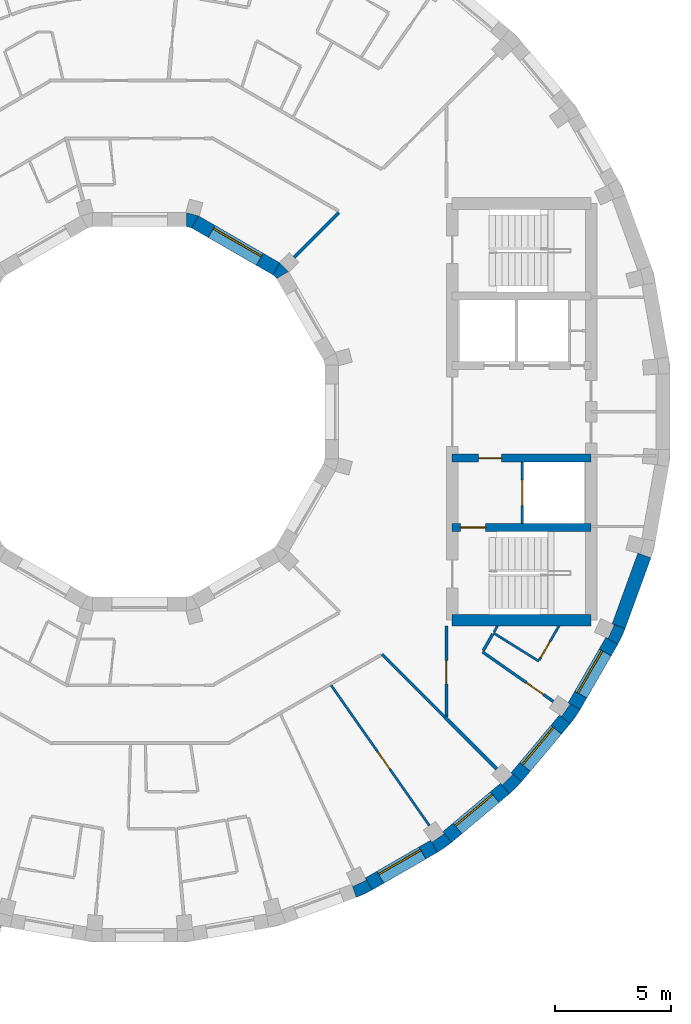
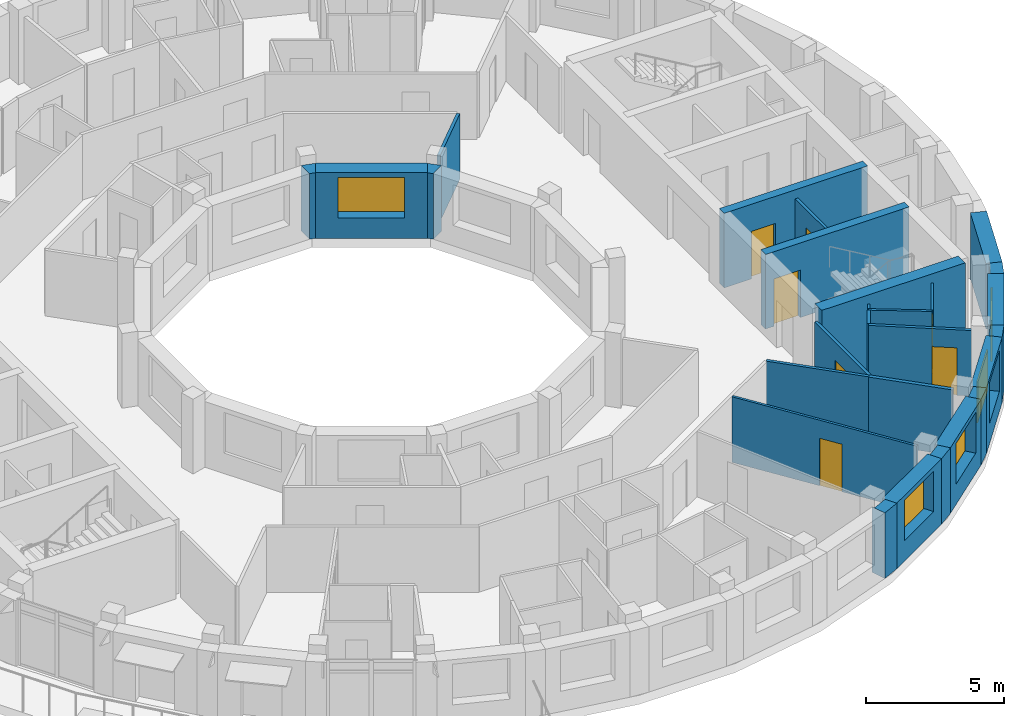
# One storey, part 7 of 12: 27 walls, 7 doors, 5 windows, 12 openings.
"""IFC4 building model written with IfcOpenShell, lengths in metres."""

from ifc_helpers import new_model, si_unit, direction, frame, frame_2d, origin, place, context, subcontext, project, spatial, polyline, rectangle, outline, extrude, material, layer, layer_set, type_object, element, fill, save


model = new_model("IFC4")

# Units and contexts
model_context = context("Model", 3, precision=1e-05, world=origin(), true_north=direction((0.0, 1.0)))
body_context = subcontext(model_context, "Body", "Model", "MODEL_VIEW")
ifc_project = project(units=[si_unit("LENGTHUNIT", "METRE"), si_unit("AREAUNIT", "SQUARE_METRE"), si_unit("VOLUMEUNIT", "CUBIC_METRE"), si_unit("PLANEANGLEUNIT", "RADIAN"), si_unit("MASSUNIT", "GRAM", prefix="KILO")], contexts=[model_context])

# Site, building, storey
site_placement = place(None, origin())
site = spatial("IfcSite", under=ifc_project, at=site_placement, CompositionType="ELEMENT")
building_placement = place(site_placement, origin())
building = spatial("IfcBuilding", under=site, at=building_placement, Name="Saqina Gate Tower", CompositionType="ELEMENT")
storey_placement = place(building_placement, frame((0.0, 0.0, 262.699951171875)))
storey = spatial("IfcBuildingStorey", under=building, at=storey_placement, Name="L75", CompositionType="ELEMENT", Elevation=262.699951171875)

# Walls
ifc_material_1 = material(Name="Brick masonry (buff)", Category="masonry")
wall_type_1 = type_object("IfcWallType", Name="BRICK PIER COPING BUFF", PredefinedType="SOLIDWALL", material=ifc_material_1)
wall_1_placement = place(storey_placement, origin())
element("IfcWall", 1, at=wall_1_placement, inside=storey, type_object=wall_type_1, Name="Pier cap L75 column 30", PredefinedType="SOLIDWALL", context=body_context, shape_type="SweptSolid", body=[
    extrude(outline(polyline([(9.3642578125, -20.974609375), (10.048095703125, -20.65576171875), (9.748291015625, -20.135986328125), (9.79296875, -20.23193359375), (9.203857421875, -20.506591796875), (9.1591796875, -20.410888671875), (9.3642578125, -20.974609375)])), origin(), (0.0, 0.0, 1.0), 2.900146484375),
])
wall_2_placement = place(storey_placement, origin())
element("IfcWall", 2, at=wall_2_placement, inside=storey, type_object=wall_type_1, Name="Pier cap L75 column 31", PredefinedType="SOLIDWALL", context=body_context, shape_type="SweptSolid", body=[
    extrude(outline(polyline([(12.8642578125, -19.02978515625), (13.482421875, -18.59716796875), (13.0966796875, -18.137451171875), (13.157470703125, -18.22412109375), (12.625, -18.596923828125), (12.564208984375, -18.51025390625), (12.8642578125, -19.02978515625)])), origin(), (0.0, 0.0, 1.0), 2.900146484375),
])
wall_3_placement = place(storey_placement, origin())
element("IfcWall", 3, at=wall_3_placement, inside=storey, type_object=wall_type_1, Name="Pier cap L75 column 32", PredefinedType="SOLIDWALL", context=body_context, shape_type="SweptSolid", body=[
    extrude(outline(polyline([(16.5068359375, -15.973388671875), (16.04736328125, -15.587646484375), (16.1220703125, -15.662353515625), (15.662353515625, -16.1220703125), (15.587646484375, -16.04736328125), (15.973388671875, -16.5068359375), (16.5068359375, -15.973388671875)])), origin(), (0.0, 0.0, 1.0), 2.900146484375),
])
wall_4_placement = place(storey_placement, origin())
element("IfcWall", 4, at=wall_4_placement, inside=storey, type_object=wall_type_1, Name="Pier cap L75 column 33", PredefinedType="SOLIDWALL", context=body_context, shape_type="SweptSolid", body=[
    extrude(outline(polyline([(19.02978515625, -12.8642578125), (18.51025390625, -12.564208984375), (18.596923828125, -12.625), (18.22412109375, -13.157470703125), (18.137451171875, -13.0966796875), (18.59716796875, -13.482421875), (19.02978515625, -12.8642578125)])), origin(), (0.0, 0.0, 1.0), 2.900146484375),
])
wall_5_placement = place(storey_placement, origin())
element("IfcWall", 5, at=wall_5_placement, inside=storey, type_object=wall_type_1, Name="Pier cap L75 column 34", PredefinedType="SOLIDWALL", context=body_context, shape_type="SweptSolid", body=[
    extrude(outline(polyline([(20.65576171875, -10.048095703125), (20.974609375, -9.3642578125), (20.410888671875, -9.1591796875), (20.506591796875, -9.203857421875), (20.23193359375, -9.79296875), (20.135986328125, -9.748291015625), (20.65576171875, -10.048095703125)])), origin(), (0.0, 0.0, 1.0), 2.900146484375),
])

# Wall, opening, window
ifc_material_2 = material(Name="Brick masonry (buff)", Category="masonry")
ifc_layer_1 = layer(ifc_material_2, 0.60009765625)
ifc_layer_set_1 = layer_set([ifc_layer_1], Name="FW-BRICK-BUFF")
wall_type_2 = type_object("IfcWallType", Name="FW-BRICK-BUFF", PredefinedType="SOLIDWALL", material=ifc_layer_set_1)
wall_6_placement = place(storey_placement, frame((9.898193359375, -20.39599609375, 0.0), z_axis=(0.0, 0.0, 1.0), x_axis=(0.866016800201, 0.500014901547, 0.0)))
wall_6 = element("IfcWall", 6, at=wall_6_placement, inside=storey, type_object=wall_type_2, Name="Facade wall L75 facet 30", PredefinedType="SOLIDWALL", context=body_context, shape_type="SweptSolid", body=[
    extrude(rectangle(XDim=3.251953125, YDim=0.60009765625, at=frame_2d((1.6259765625, 0.0))), origin(), (0.0, 0.0, 1.0), 2.900146484375),
])
opening_1_placement = place(wall_6_placement, frame((0.57568359375, 0.0, 0.89990234375)))
opening_1 = element("IfcOpeningElement", 7, at=opening_1_placement, cuts=wall_6, Name="Opening G22-W19", PredefinedType="OPENING", context=body_context, shape_type="SweptSolid", body=[
    extrude(rectangle(XDim=2.10009765625, YDim=1.800048828125, at=frame_2d((1.050048828125, 0.89990234375))), frame((0.0, 0.31201171875, 0.0), z_axis=(0.0, -1.0, 0.0), x_axis=(1.0, 0.0, 0.0)), (0.0, 0.0, 1.0), 0.6240234375),
])
ifc_material_3 = material(Name="Aluminium glazing", Category="aluminium")
window_type_1 = type_object("IfcWindowType", Name="WN-D", PartitioningType="SINGLE_PANEL", PredefinedType="WINDOW", material=ifc_material_3)
window_1_placement = place(opening_1_placement, origin())
window_1 = element("IfcWindow", 8, at=window_1_placement, inside=storey, type_object=window_type_1, Name="Window L75 facet 30", OverallHeight=1.800048828125, OverallWidth=2.10009765625, PartitioningType="SINGLE_PANEL", PredefinedType="WINDOW", context=body_context, shape_type="SweptSolid", body=[
    extrude(rectangle(XDim=2.10009765625, YDim=1.800048828125, at=frame_2d((1.050048828125, 0.89990234375))), frame((0.0, 0.179931640625, 0.0), z_axis=(0.0, -1.0, 0.0), x_axis=(1.0, 0.0, 0.0)), (0.0, 0.0, 1.0), 0.06005859375),
])
fill(opening_1, window_1)

wall_7_placement = place(storey_placement, frame((13.28955078125, -18.3671875, 0.0), z_axis=(0.0, 0.0, 1.0), x_axis=(0.766056773982, 0.64277291405, 0.0)))
wall_7 = element("IfcWall", 9, at=wall_7_placement, inside=storey, type_object=wall_type_2, Name="Facade wall L75 facet 31", PredefinedType="SOLIDWALL", context=body_context, shape_type="SweptSolid", body=[
    extrude(rectangle(XDim=3.251708984375, YDim=0.60009765625, at=frame_2d((1.6259765625, 0.0))), origin(), (0.0, 0.0, 1.0), 2.900146484375),
])
opening_2_placement = place(wall_7_placement, frame((0.57568359375, 0.0, 0.89990234375)))
opening_2 = element("IfcOpeningElement", 10, at=opening_2_placement, cuts=wall_7, Name="Opening G22-W20", PredefinedType="OPENING", context=body_context, shape_type="SweptSolid", body=[
    extrude(rectangle(XDim=2.10009765625, YDim=1.800048828125, at=frame_2d((1.050048828125, 0.89990234375))), frame((0.0, 0.31201171875, 0.0), z_axis=(0.0, -1.0, 0.0), x_axis=(1.0, 0.0, 0.0)), (0.0, 0.0, 1.0), 0.6240234375),
])
window_2_placement = place(opening_2_placement, origin())
window_2 = element("IfcWindow", 11, at=window_2_placement, inside=storey, type_object=window_type_1, Name="Window L75 facet 31", OverallHeight=1.800048828125, OverallWidth=2.10009765625, PartitioningType="SINGLE_PANEL", PredefinedType="WINDOW", context=body_context, shape_type="SweptSolid", body=[
    extrude(rectangle(XDim=2.10009765625, YDim=1.800048828125, at=frame_2d((1.050048828125, 0.89990234375))), frame((0.0, 0.179931640625, 0.0), z_axis=(0.0, -1.0, 0.0), x_axis=(1.0, 0.0, 0.0)), (0.0, 0.0, 1.0), 0.06005859375),
])
fill(opening_2, window_2)

wall_8_placement = place(storey_placement, frame((16.277099609375, -15.780517578125, 0.0), z_axis=(0.0, 0.0, 1.0), x_axis=(0.64277291405, 0.766056773982, 0.0)))
wall_8 = element("IfcWall", 12, at=wall_8_placement, inside=storey, type_object=wall_type_2, Name="Facade wall L75 facet 32", PredefinedType="SOLIDWALL", context=body_context, shape_type="SweptSolid", body=[
    extrude(rectangle(XDim=3.251708984375, YDim=0.60009765625, at=frame_2d((1.6259765625, 0.0))), origin(), (0.0, 0.0, 1.0), 2.900146484375),
])
opening_3_placement = place(wall_8_placement, frame((0.57568359375, 0.0, 0.89990234375)))
opening_3 = element("IfcOpeningElement", 13, at=opening_3_placement, cuts=wall_8, Name="Opening G22-W21", PredefinedType="OPENING", context=body_context, shape_type="SweptSolid", body=[
    extrude(rectangle(XDim=2.10009765625, YDim=1.800048828125, at=frame_2d((1.050048828125, 0.89990234375))), frame((0.0, 0.31201171875, 0.0), z_axis=(0.0, -1.0, 0.0), x_axis=(1.0, 0.0, 0.0)), (0.0, 0.0, 1.0), 0.6240234375),
])
window_3_placement = place(opening_3_placement, origin())
window_3 = element("IfcWindow", 14, at=window_3_placement, inside=storey, type_object=window_type_1, Name="Window L75 facet 32", OverallHeight=1.800048828125, OverallWidth=2.10009765625, PartitioningType="SINGLE_PANEL", PredefinedType="WINDOW", context=body_context, shape_type="SweptSolid", body=[
    extrude(rectangle(XDim=2.10009765625, YDim=1.800048828125, at=frame_2d((1.050048828125, 0.89990234375))), frame((0.0, 0.179931640625, 0.0), z_axis=(0.0, -1.0, 0.0), x_axis=(1.0, 0.0, 0.0)), (0.0, 0.0, 1.0), 0.06005859375),
])
fill(opening_3, window_3)

wall_9_placement = place(storey_placement, frame((18.77001953125, -12.71435546875, 0.0), z_axis=(0.0, 0.0, 1.0), x_axis=(0.500014901547, 0.866016800201, 0.0)))
wall_9 = element("IfcWall", 15, at=wall_9_placement, inside=storey, type_object=wall_type_2, Name="Facade wall L75 facet 33", PredefinedType="SOLIDWALL", context=body_context, shape_type="SweptSolid", body=[
    extrude(rectangle(XDim=3.251953125, YDim=0.60009765625, at=frame_2d((1.6259765625, 0.0))), origin(), (0.0, 0.0, 1.0), 2.900146484375),
])
opening_4_placement = place(wall_9_placement, frame((0.57568359375, 0.0, 0.89990234375)))
opening_4 = element("IfcOpeningElement", 16, at=opening_4_placement, cuts=wall_9, Name="Opening G22-W22", PredefinedType="OPENING", context=body_context, shape_type="SweptSolid", body=[
    extrude(rectangle(XDim=2.10009765625, YDim=1.800048828125, at=frame_2d((1.050048828125, 0.89990234375))), frame((0.0, 0.31201171875, 0.0), z_axis=(0.0, -1.0, 0.0), x_axis=(1.0, 0.0, 0.0)), (0.0, 0.0, 1.0), 0.6240234375),
])
window_4_placement = place(opening_4_placement, origin())
window_4 = element("IfcWindow", 17, at=window_4_placement, inside=storey, type_object=window_type_1, Name="Window L75 facet 33", OverallHeight=1.800048828125, OverallWidth=2.10009765625, PartitioningType="SINGLE_PANEL", PredefinedType="WINDOW", context=body_context, shape_type="SweptSolid", body=[
    extrude(rectangle(XDim=2.10009765625, YDim=1.800048828125, at=frame_2d((1.050048828125, 0.89990234375))), frame((0.0, 0.179931640625, 0.0), z_axis=(0.0, -1.0, 0.0), x_axis=(1.0, 0.0, 0.0)), (0.0, 0.0, 1.0), 0.06005859375),
])
fill(opening_4, window_4)

# Wall
ifc_material_4 = material(Name="Glazed ceramic tile", Category="ceramic")
ifc_layer_2 = layer(ifc_material_4, 0.60009765625)
ifc_layer_set_2 = layer_set([ifc_layer_2], Name="FW-TILE")
wall_type_3 = type_object("IfcWallType", Name="FW-TILE", PredefinedType="SOLIDWALL", material=ifc_layer_set_2)
wall_10_placement = place(storey_placement, frame((20.692626953125, -9.26171875, 0.0), z_axis=(0.0, 0.0, 1.0), x_axis=(0.342056509473, 0.939679383794, 0.0)))
element("IfcWall", 18, at=wall_10_placement, inside=storey, type_object=wall_type_3, Name="Facade wall L75 facet 34", PredefinedType="SOLIDWALL", context=body_context, shape_type="SweptSolid", body=[
    extrude(rectangle(XDim=3.251708984375, YDim=0.60009765625, at=frame_2d((1.6259765625, 0.0))), origin(), (0.0, 0.0, 1.0), 2.900146484375),
])

# Wall, opening, window
ifc_material_5 = material(Name="Glazed ceramic tile", Category="ceramic")
ifc_layer_3 = layer(ifc_material_5, 0.60009765625)
ifc_layer_set_3 = layer_set([ifc_layer_3], Name="IW-TILE")
wall_type_4 = type_object("IfcWallType", Name="IW-TILE", PredefinedType="SOLIDWALL", material=ifc_layer_set_3)
wall_11_placement = place(storey_placement, frame((5.907470703125, 6.17333984375, 0.0), z_axis=(0.0, 0.0, 1.0), x_axis=(-0.866028316509, 0.499994954979, 0.0)))
wall_11 = element("IfcWall", 19, at=wall_11_placement, inside=storey, type_object=wall_type_4, Name="Well wall L75 facet 2", PredefinedType="SOLIDWALL", context=body_context, shape_type="SweptSolid", body=[
    extrude(rectangle(XDim=4.05859375, YDim=0.60009765625, at=frame_2d((2.029296875, 0.0))), origin(), (0.0, 0.0, 1.0), 2.900146484375),
])
opening_5_placement = place(wall_11_placement, frame((0.829345703125, 0.0, 0.89990234375)))
opening_5 = element("IfcOpeningElement", 20, at=opening_5_placement, cuts=wall_11, Name="Opening G22-W24", PredefinedType="OPENING", context=body_context, shape_type="SweptSolid", body=[
    extrude(rectangle(XDim=2.39990234375, YDim=1.800048828125, at=frame_2d((1.199951171875, 0.89990234375))), frame((0.0, 0.31201171875, 0.0), z_axis=(0.0, -1.0, 0.0), x_axis=(1.0, 0.0, 0.0)), (0.0, 0.0, 1.0), 0.6240234375),
])
ifc_material_6 = material(Name="Aluminium glazing", Category="aluminium")
window_type_2 = type_object("IfcWindowType", Name="WN-W", PartitioningType="SINGLE_PANEL", PredefinedType="WINDOW", material=ifc_material_6)
window_5_placement = place(opening_5_placement, origin())
window_5 = element("IfcWindow", 21, at=window_5_placement, inside=storey, type_object=window_type_2, Name="Well window L75 facet 2", OverallHeight=1.800048828125, OverallWidth=2.39990234375, PartitioningType="SINGLE_PANEL", PredefinedType="WINDOW", context=body_context, shape_type="SweptSolid", body=[
    extrude(rectangle(XDim=2.39990234375, YDim=1.800048828125, at=frame_2d((1.199951171875, 0.89990234375))), frame((0.0, -0.119873046875, 0.0), z_axis=(0.0, -1.0, 0.0), x_axis=(1.0, 0.0, 0.0)), (0.0, 0.0, 1.0), 0.06005859375),
])
fill(opening_5, window_5)

# Wall, opening, door
ifc_material_7 = material(Name="Gypsum board on steel studs, 100 mm", Category="steel")
ifc_layer_4 = layer(ifc_material_7, 0.10009765625)
ifc_layer_set_4 = layer_set([ifc_layer_4], Name="PARTITION 100")
wall_type_5 = type_object("IfcWallType", Name="PARTITION 100", PredefinedType="PARTITIONING", material=ifc_layer_set_4)
wall_12_placement = place(storey_placement, frame((8.275390625, -11.818115234375, 0.0), z_axis=(0.0, 0.0, 1.0), x_axis=(0.573597629831, -0.819137204046, 0.0)))
wall_12 = element("IfcWall", 22, at=wall_12_placement, inside=storey, type_object=wall_type_5, Name="PARTITION PW3-14", PredefinedType="PARTITIONING", context=body_context, shape_type="SweptSolid", body=[
    extrude(rectangle(XDim=7.3876953125, YDim=0.10009765625, at=frame_2d((3.69384765625, 0.0))), origin(), (0.0, 0.0, 1.0), 2.900146484375),
])
opening_6_placement = place(wall_12_placement, frame((3.50390625, 0.0, 0.0)))
opening_6 = element("IfcOpeningElement", 23, at=opening_6_placement, cuts=wall_12, Name="Opening G22-D42", PredefinedType="OPENING", context=body_context, shape_type="SweptSolid", body=[
    extrude(rectangle(XDim=0.89990234375, YDim=2.10009765625, at=frame_2d((0.449951171875, 1.050048828125))), frame((0.0, 0.06201171875, 0.0), z_axis=(0.0, -1.0, 0.0), x_axis=(1.0, 0.0, 0.0)), (0.0, 0.0, 1.0), 0.1240234375),
])
ifc_material_8 = material(Name="Timber door leaf, 900 mm", Category="wood")
door_type_1 = type_object("IfcDoorType", Name="DOOR 900 TIMBER", OperationType="SINGLE_SWING_LEFT", PredefinedType="DOOR", material=ifc_material_8)
door_1_placement = place(opening_6_placement, frame((0.89990234375, 0.0, 0.0), z_axis=(0.0, 0.0, 1.0), x_axis=(-1.0, 0.0, 0.0)))
door_1 = element("IfcDoor", 24, at=door_1_placement, inside=storey, type_object=door_type_1, Name="DOOR G22-D42", OperationType="SINGLE_SWING_LEFT", OverallHeight=2.10009765625, OverallWidth=0.89990234375, PredefinedType="DOOR", context=body_context, shape_type="SweptSolid", body=[
    extrude(rectangle(XDim=0.89990234375, YDim=2.10009765625, at=frame_2d((0.449951171875, 1.050048828125))), frame((0.0, 0.02490234375, 0.0), z_axis=(0.0, -1.0, 0.0), x_axis=(1.0, 0.0, 0.0)), (0.0, 0.0, 1.0), 0.050048828125),
])
fill(opening_6, door_1)

# Walls
wall_13_placement = place(storey_placement, frame((15.284912109375, -9.550048828125, 0.0), z_axis=(0.0, 0.0, 1.0), x_axis=(0.848022135911, -0.529960807047, 0.0)))
element("IfcWall", 25, at=wall_13_placement, inside=storey, type_object=wall_type_5, Name="PARTITION PW3-15", PredefinedType="PARTITIONING", context=body_context, shape_type="SweptSolid", body=[
    extrude(rectangle(XDim=2.302001953125, YDim=0.10009765625, at=frame_2d((1.15087890625, 0.0))), origin(), (0.0, 0.0, 1.0), 2.900146484375),
])
wall_14_placement = place(storey_placement, frame((15.31005859375, -9.5068359375, 0.0), z_axis=(0.0, 0.0, 1.0), x_axis=(0.503206273965, 0.864166329963, 0.0)))
element("IfcWall", 26, at=wall_14_placement, inside=storey, type_object=wall_type_5, Name="PARTITION PW3-41", PredefinedType="PARTITIONING", context=body_context, shape_type="SweptSolid", body=[
    extrude(rectangle(XDim=0.296875, YDim=0.10009765625, at=frame_2d((0.1484375, 0.0))), origin(), (0.0, 0.0, 1.0), 2.900146484375),
])

# Wall, opening, door
wall_15_placement = place(storey_placement, frame((17.261962890625, -10.726806640625, 0.0), z_axis=(0.0, 0.0, 1.0), x_axis=(0.499743113806, 0.866173666307, 0.0)))
wall_15 = element("IfcWall", 27, at=wall_15_placement, inside=storey, type_object=wall_type_5, Name="PARTITION PW3-42", PredefinedType="PARTITIONING", context=body_context, shape_type="SweptSolid", body=[
    extrude(rectangle(XDim=1.705078125, YDim=0.10009765625, at=frame_2d((0.8525390625, 0.0))), origin(), (0.0, 0.0, 1.0), 2.900146484375),
])
opening_7_placement = place(wall_15_placement, frame((0.12744140625, 0.0, 0.0)))
opening_7 = element("IfcOpeningElement", 28, at=opening_7_placement, cuts=wall_15, Name="Opening G22-D45", PredefinedType="OPENING", context=body_context, shape_type="SweptSolid", body=[
    extrude(rectangle(XDim=0.800048828125, YDim=2.10009765625, at=frame_2d((0.39990234375, 1.050048828125))), frame((0.0, 0.06201171875, 0.0), z_axis=(0.0, -1.0, 0.0), x_axis=(1.0, 0.0, 0.0)), (0.0, 0.0, 1.0), 0.1240234375),
])
ifc_material_9 = material(Name="Timber door leaf, 800 mm", Category="wood")
door_type_2 = type_object("IfcDoorType", Name="DOOR 800 TIMBER", OperationType="SINGLE_SWING_LEFT", PredefinedType="DOOR", material=ifc_material_9)
door_2_placement = place(opening_7_placement, frame((0.800048828125, 0.0, 0.0), z_axis=(0.0, 0.0, 1.0), x_axis=(-1.0, 0.0, 0.0)))
door_2 = element("IfcDoor", 29, at=door_2_placement, inside=storey, type_object=door_type_2, Name="DOOR G22-D45", OperationType="SINGLE_SWING_RIGHT", OverallHeight=2.10009765625, OverallWidth=0.800048828125, PredefinedType="DOOR", context=body_context, shape_type="SweptSolid", body=[
    extrude(rectangle(XDim=0.800048828125, YDim=2.10009765625, at=frame_2d((0.39990234375, 1.050048828125))), frame((0.0, 0.02490234375, 0.0), z_axis=(0.0, -1.0, 0.0), x_axis=(1.0, 0.0, 0.0)), (0.0, 0.0, 1.0), 0.050048828125),
])
fill(opening_7, door_2)

# Wall
ifc_material_10 = material(Name="Gypsum board on steel studs, 125 mm, fire rated", Category="steel")
ifc_layer_5 = layer(ifc_material_10, 0.125)
ifc_layer_set_5 = layer_set([ifc_layer_5], Name="PARTITION EI 30 125")
wall_type_6 = type_object("IfcWallType", Name="PARTITION EI 30 125", PredefinedType="PARTITIONING", material=ifc_layer_set_5)
wall_16_placement = place(storey_placement, frame((10.47705078125, -10.47509765625, 0.0), z_axis=(0.0, 0.0, 1.0), x_axis=(0.707106781187, -0.707106781187, 0.0)))
element("IfcWall", 30, at=wall_16_placement, inside=storey, type_object=wall_type_6, Name="PARTITION PW1-07", PredefinedType="PARTITIONING", context=body_context, shape_type="SweptSolid", body=[
    extrude(rectangle(XDim=3.847900390625, YDim=0.125, at=frame_2d((1.923828125, 0.0))), origin(), (0.0, 0.0, 1.0), 2.900146484375),
])

# Wall, opening, door
wall_17_placement = place(storey_placement, frame((14.81103515625, -10.37109375, 0.0), z_axis=(0.0, 0.0, 1.0), x_axis=(0.819345561084, -0.57329996645, 0.0)))
wall_17 = element("IfcWall", 31, at=wall_17_placement, inside=storey, type_object=wall_type_6, Name="PARTITION PW1-08", PredefinedType="PARTITIONING", context=body_context, shape_type="SweptSolid", body=[
    extrude(rectangle(XDim=3.73388671875, YDim=0.125, at=frame_2d((1.866943359375, 0.0))), origin(), (0.0, 0.0, 1.0), 2.900146484375),
])
opening_8_placement = place(wall_17_placement, frame((2.30810546875, 0.0, 0.0)))
opening_8 = element("IfcOpeningElement", 32, at=opening_8_placement, cuts=wall_17, Name="Opening G22-D44", PredefinedType="OPENING", context=body_context, shape_type="SweptSolid", body=[
    extrude(rectangle(XDim=0.89990234375, YDim=2.10009765625, at=frame_2d((0.449951171875, 1.050048828125))), frame((0.0, 0.074462890625, 0.0), z_axis=(0.0, -1.0, 0.0), x_axis=(1.0, 0.0, 0.0)), (0.0, 0.0, 1.0), 0.14892578125),
])
ifc_material_11 = material(Name="Fire door leaf EI 30, 900 mm")
door_type_3 = type_object("IfcDoorType", Name="DOOR 900 EI 30", OperationType="SINGLE_SWING_LEFT", PredefinedType="DOOR", material=ifc_material_11)
door_3_placement = place(opening_8_placement, frame((0.89990234375, 0.0, 0.0), z_axis=(0.0, 0.0, 1.0), x_axis=(-1.0, 0.0, 0.0)))
door_3 = element("IfcDoor", 33, at=door_3_placement, inside=storey, type_object=door_type_3, Name="DOOR G22-D44", OperationType="SINGLE_SWING_LEFT", OverallHeight=2.10009765625, OverallWidth=0.89990234375, PredefinedType="DOOR", context=body_context, shape_type="SweptSolid", body=[
    extrude(rectangle(XDim=0.89990234375, YDim=2.10009765625, at=frame_2d((0.449951171875, 1.050048828125))), frame((0.0, 0.02490234375, 0.0), z_axis=(0.0, -1.0, 0.0), x_axis=(1.0, 0.0, 0.0)), (0.0, 0.0, 1.0), 0.050048828125),
])
fill(opening_8, door_3)

# Walls
wall_18_placement = place(storey_placement, frame((6.6767578125, 6.6767578125, 0.0), z_axis=(0.0, 0.0, 1.0), x_axis=(0.707106781187, 0.707106781187, 0.0)))
element("IfcWall", 34, at=wall_18_placement, inside=storey, type_object=wall_type_6, Name="PARTITION PW1-32", PredefinedType="PARTITIONING", context=body_context, shape_type="SweptSolid", body=[
    extrude(rectangle(XDim=2.722412109375, YDim=0.125, at=frame_2d((1.361328125, 0.0))), origin(), (0.0, 0.0, 1.0), 2.900146484375),
])
wall_19_placement = place(storey_placement, frame((14.84326171875, -10.315185546875, 0.0), z_axis=(0.0, 0.0, 1.0), x_axis=(0.499950631041, 0.86605390509, 0.0)))
element("IfcWall", 35, at=wall_19_placement, inside=storey, type_object=wall_type_6, Name="PARTITION PW1-36", PredefinedType="PARTITIONING", context=body_context, shape_type="SweptSolid", body=[
    extrude(rectangle(XDim=0.83349609375, YDim=0.125, at=frame_2d((0.416748046875, 0.0))), origin(), (0.0, 0.0, 1.0), 2.900146484375),
])

# Wall, opening, door
wall_20_placement = place(storey_placement, frame((13.25, -13.185546875, 0.0), z_axis=(0.0, 0.0, 1.0), x_axis=(0.0, 1.0, 0.0)))
wall_20 = element("IfcWall", 36, at=wall_20_placement, inside=storey, type_object=wall_type_6, Name="PARTITION PW1-42", PredefinedType="PARTITIONING", context=body_context, shape_type="SweptSolid", body=[
    extrude(rectangle(XDim=3.9345703125, YDim=0.125, at=frame_2d((1.96728515625, 0.0))), origin(), (0.0, 0.0, 1.0), 2.900146484375),
])
opening_9_placement = place(wall_20_placement, frame((1.435546875, 0.0, 0.0)))
opening_9 = element("IfcOpeningElement", 37, at=opening_9_placement, cuts=wall_20, Name="Opening G22-D43", PredefinedType="OPENING", context=body_context, shape_type="SweptSolid", body=[
    extrude(rectangle(XDim=1.0, YDim=2.10009765625, at=frame_2d((0.5, 1.050048828125))), frame((0.0, 0.074462890625, 0.0), z_axis=(0.0, -1.0, 0.0), x_axis=(1.0, 0.0, 0.0)), (0.0, 0.0, 1.0), 0.14892578125),
])
ifc_material_12 = material(Name="Fire door leaf EI 30, 1000 mm")
door_type_4 = type_object("IfcDoorType", Name="DOOR 1000 EI 30", OperationType="SINGLE_SWING_LEFT", PredefinedType="DOOR", material=ifc_material_12)
door_4_placement = place(opening_9_placement, frame((1.0, 0.0, 0.0), z_axis=(0.0, 0.0, 1.0), x_axis=(-1.0, 0.0, 0.0)))
door_4 = element("IfcDoor", 38, at=door_4_placement, inside=storey, type_object=door_type_4, Name="DOOR G22-D43", OperationType="SINGLE_SWING_RIGHT", OverallHeight=2.10009765625, OverallWidth=1.0, PredefinedType="DOOR", context=body_context, shape_type="SweptSolid", body=[
    extrude(rectangle(XDim=1.0, YDim=2.10009765625, at=frame_2d((0.5, 1.050048828125))), frame((0.0, 0.02490234375, 0.0), z_axis=(0.0, -1.0, 0.0), x_axis=(1.0, 0.0, 0.0)), (0.0, 0.0, 1.0), 0.050048828125),
])
fill(opening_9, door_4)

# Wall
ifc_material_13 = material(Name="Gypsum board on steel studs, 150 mm, fire rated", Category="steel")
ifc_layer_6 = layer(ifc_material_13, 0.14990234375)
ifc_layer_set_6 = layer_set([ifc_layer_6], Name="PARTITION EI 60 150")
wall_type_7 = type_object("IfcWallType", Name="PARTITION EI 60 150", PredefinedType="PARTITIONING", material=ifc_layer_set_6)
wall_21_placement = place(storey_placement, frame((13.197998046875, -13.196044921875, 0.0), z_axis=(0.0, 0.0, 1.0), x_axis=(0.707261695581, -0.706951832845, 0.0)))
element("IfcWall", 39, at=wall_21_placement, inside=storey, type_object=wall_type_7, Name="PARTITION PW2-03", PredefinedType="PARTITIONING", context=body_context, shape_type="SweptSolid", body=[
    extrude(rectangle(XDim=3.151611328125, YDim=0.14990234375, at=frame_2d((1.57568359375, 0.0))), origin(), (0.0, 0.0, 1.0), 2.900146484375),
])

# Wall, opening, door
ifc_material_14 = material(Name="Autoclaved aerated concrete block", Category="concrete")
ifc_layer_7 = layer(ifc_material_14, 0.1201171875)
ifc_layer_set_7 = layer_set([ifc_layer_7], Name="SHAFT PARTITION")
wall_type_8 = type_object("IfcWallType", Name="SHAFT PARTITION", PredefinedType="PARTITIONING", material=ifc_layer_set_7)
wall_22_placement = place(storey_placement, frame((16.530029296875, -4.824951171875, 0.0), z_axis=(0.0, 0.0, 1.0), x_axis=(0.0, 1.0, 0.0)))
wall_22 = element("IfcWall", 40, at=wall_22_placement, inside=storey, type_object=wall_type_8, Name="L75-CP-E08", PredefinedType="PARTITIONING", context=body_context, shape_type="SweptSolid", body=[
    extrude(rectangle(XDim=2.64990234375, YDim=0.1201171875, at=frame_2d((1.324951171875, 0.0))), origin(), (0.0, 0.0, 1.0), 2.900146484375),
])
opening_10_placement = place(wall_22_placement, frame((0.77490234375, 0.0, 0.0)))
opening_10 = element("IfcOpeningElement", 41, at=opening_10_placement, cuts=wall_22, Name="Opening G22-LD3", PredefinedType="OPENING", context=body_context, shape_type="SweptSolid", body=[
    extrude(rectangle(XDim=1.10009765625, YDim=2.10009765625, at=frame_2d((0.550048828125, 1.050048828125))), frame((0.0, 0.072021484375, 0.0), z_axis=(0.0, -1.0, 0.0), x_axis=(1.0, 0.0, 0.0)), (0.0, 0.0, 1.0), 0.14404296875),
])
ifc_material_15 = material(Name="Stainless steel", Category="steel")
door_type_5 = type_object("IfcDoorType", Name="LANDING DOOR", OperationType="DOUBLE_DOOR_SLIDING", PredefinedType="DOOR", material=ifc_material_15)
door_5_placement = place(opening_10_placement, origin())
door_5 = element("IfcDoor", 42, at=door_5_placement, inside=storey, type_object=door_type_5, Name="LANDING DOOR FF1", OperationType="DOUBLE_DOOR_SLIDING", OverallHeight=2.10009765625, OverallWidth=1.10009765625, PredefinedType="DOOR", context=body_context, shape_type="SweptSolid", body=[
    extrude(rectangle(XDim=1.10009765625, YDim=2.10009765625, at=frame_2d((0.550048828125, 1.050048828125))), frame((0.0, 0.02490234375, 0.0), z_axis=(0.0, -1.0, 0.0), x_axis=(1.0, 0.0, 0.0)), (0.0, 0.0, 1.0), 0.050048828125),
])
fill(opening_10, door_5)

ifc_material_16 = material(Name="Concrete C60/75", Category="concrete")
ifc_layer_8 = layer(ifc_material_16, 0.35009765625)
ifc_layer_set_8 = layer_set([ifc_layer_8], Name="Concrete C60/75")
wall_type_9 = type_object("IfcWallType", Name="STR-CORE WALL-D-I", PredefinedType="SHEAR", material=ifc_layer_set_8)
wall_23_placement = place(storey_placement, frame((13.5, -5.0, 0.0), z_axis=(0.0, 0.0, 1.0), x_axis=(1.0, 0.0, 0.0)))
wall_23 = element("IfcWall", 43, at=wall_23_placement, inside=storey, type_object=wall_type_9, Name="CORE WALL L75 E-X2", PredefinedType="SHEAR", context=body_context, shape_type="SweptSolid", body=[
    extrude(rectangle(XDim=6.0, YDim=0.35009765625, at=frame_2d((3.0, 0.0))), origin(), (0.0, 0.0, 1.0), 3.300048828125),
])
opening_11_placement = place(wall_23_placement, frame((0.35009765625, 0.0, 0.0)))
opening_11 = element("IfcOpeningElement", 44, at=opening_11_placement, cuts=wall_23, Name="Opening G22-D96", PredefinedType="OPENING", context=body_context, shape_type="SweptSolid", body=[
    extrude(rectangle(XDim=1.10009765625, YDim=2.10009765625, at=frame_2d((0.550048828125, 1.050048828125))), frame((0.0, 0.18701171875, 0.0), z_axis=(0.0, -1.0, 0.0), x_axis=(1.0, 0.0, 0.0)), (0.0, 0.0, 1.0), 0.3740234375),
])
ifc_material_17 = material(Name="Steel", Category="steel")
door_type_6 = type_object("IfcDoorType", Name="FIRE LOBBY DOOR EI 60 WIDE", OperationType="SINGLE_SWING_LEFT", PredefinedType="DOOR", material=ifc_material_17)
door_6_placement = place(opening_11_placement, frame((1.10009765625, 0.0, 0.0), z_axis=(0.0, 0.0, 1.0), x_axis=(-1.0, 0.0, 0.0)))
door_6 = element("IfcDoor", 45, at=door_6_placement, inside=storey, type_object=door_type_6, Name="L75-CD-E07", OperationType="SINGLE_SWING_RIGHT", OverallHeight=2.10009765625, OverallWidth=1.10009765625, PredefinedType="DOOR", context=body_context, shape_type="SweptSolid", body=[
    extrude(rectangle(XDim=1.10009765625, YDim=2.10009765625, at=frame_2d((0.550048828125, 1.050048828125))), frame((0.0, 0.02490234375, 0.0), z_axis=(0.0, -1.0, 0.0), x_axis=(1.0, 0.0, 0.0)), (0.0, 0.0, 1.0), 0.050048828125),
])
fill(opening_11, door_6)

wall_24_placement = place(storey_placement, frame((13.5, -2.0, 0.0), z_axis=(0.0, 0.0, 1.0), x_axis=(1.0, 0.0, 0.0)))
wall_24 = element("IfcWall", 46, at=wall_24_placement, inside=storey, type_object=wall_type_9, Name="CORE WALL L75 E-L2", PredefinedType="SHEAR", context=body_context, shape_type="SweptSolid", body=[
    extrude(rectangle(XDim=6.0, YDim=0.35009765625, at=frame_2d((3.0, 0.0))), origin(), (0.0, 0.0, 1.0), 3.300048828125),
])
opening_12_placement = place(wall_24_placement, frame((1.139892578125, 0.0, 0.0)))
opening_12 = element("IfcOpeningElement", 47, at=opening_12_placement, cuts=wall_24, Name="Opening G22-D91", PredefinedType="OPENING", context=body_context, shape_type="SweptSolid", body=[
    extrude(rectangle(XDim=1.0, YDim=2.10009765625, at=frame_2d((0.5, 1.050048828125))), frame((0.0, 0.18701171875, 0.0), z_axis=(0.0, -1.0, 0.0), x_axis=(1.0, 0.0, 0.0)), (0.0, 0.0, 1.0), 0.3740234375),
])
ifc_material_18 = material(Name="Steel", Category="steel")
door_type_7 = type_object("IfcDoorType", Name="FIRE LOBBY DOOR EI 60", OperationType="SINGLE_SWING_LEFT", PredefinedType="DOOR", material=ifc_material_18)
door_7_placement = place(opening_12_placement, origin())
door_7 = element("IfcDoor", 48, at=door_7_placement, inside=storey, type_object=door_type_7, Name="L75-CD-E02", OperationType="SINGLE_SWING_LEFT", OverallHeight=2.10009765625, OverallWidth=1.0, PredefinedType="DOOR", context=body_context, shape_type="SweptSolid", body=[
    extrude(rectangle(XDim=1.0, YDim=2.10009765625, at=frame_2d((0.5, 1.050048828125))), frame((0.0, 0.02490234375, 0.0), z_axis=(0.0, -1.0, 0.0), x_axis=(1.0, 0.0, 0.0)), (0.0, 0.0, 1.0), 0.050048828125),
])
fill(opening_12, door_7)

# Walls
ifc_material_19 = material(Name="Concrete C60/75", Category="concrete")
ifc_layer_9 = layer(ifc_material_19, 0.5)
ifc_layer_set_9 = layer_set([ifc_layer_9], Name="Concrete C60/75")
wall_type_10 = type_object("IfcWallType", Name="STR-CORE WALL-D-O", PredefinedType="SHEAR", material=ifc_layer_set_9)
wall_25_placement = place(storey_placement, frame((13.5, -9.0, 0.0), z_axis=(0.0, 0.0, 1.0), x_axis=(1.0, 0.0, 0.0)))
element("IfcWall", 49, at=wall_25_placement, inside=storey, type_object=wall_type_10, Name="CORE WALL L75 E-SE", PredefinedType="SHEAR", context=body_context, shape_type="SweptSolid", body=[
    extrude(rectangle(XDim=6.0, YDim=0.5, at=frame_2d((3.0, 0.0))), origin(), (0.0, 0.0, 1.0), 3.300048828125),
])
ifc_material_20 = material(Name="Glazed ceramic tile", Category="ceramic")
wall_type_11 = type_object("IfcWallType", Name="TILE PIER COPING", PredefinedType="SOLIDWALL", material=ifc_material_20)
wall_26_placement = place(storey_placement, origin())
element("IfcWall", 50, at=wall_26_placement, inside=storey, type_object=wall_type_11, Name="Well pier cap L75 column 2", PredefinedType="SOLIDWALL", context=body_context, shape_type="SweptSolid", body=[
    extrude(outline(polyline([(6.0576171875, 6.43310546875), (5.757568359375, 5.91357421875), (5.91357421875, 5.757568359375), (6.43310546875, 6.0576171875), (6.0576171875, 6.43310546875)])), origin(), (0.0, 0.0, 1.0), 2.900146484375),
])
wall_27_placement = place(storey_placement, origin())
element("IfcWall", 51, at=wall_27_placement, inside=storey, type_object=wall_type_11, Name="Well pier cap L75 column 3", PredefinedType="SOLIDWALL", context=body_context, shape_type="SweptSolid", body=[
    extrude(outline(polyline([(2.029296875, 8.60009765625), (2.029296875, 8.0), (2.242431640625, 7.94287109375), (2.54248046875, 8.46240234375), (2.029296875, 8.60009765625)])), origin(), (0.0, 0.0, 1.0), 2.900146484375),
])

save(model, "model.ifc")
